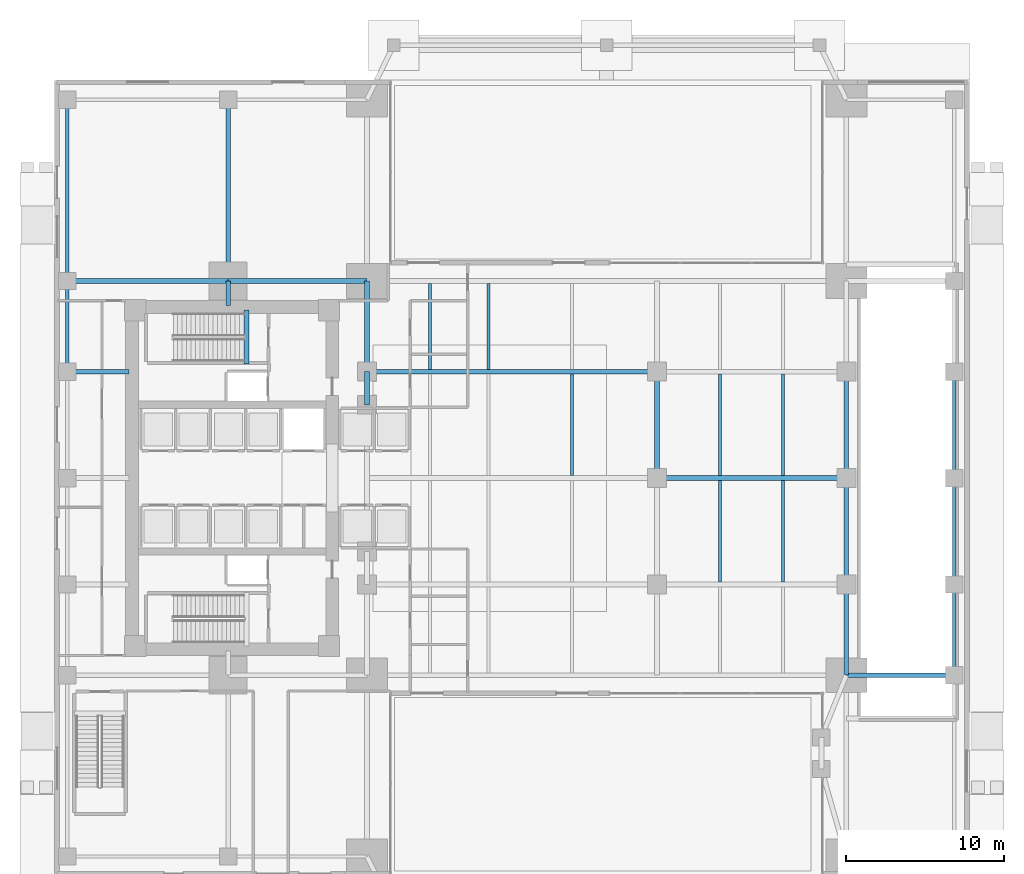
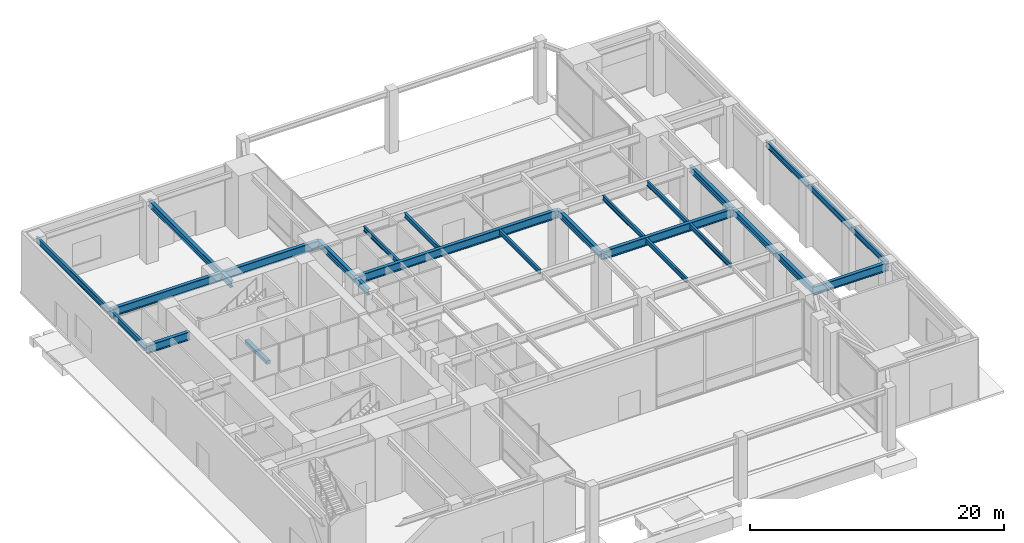
# One storey, part 5 of 17: 27 beams.
"""IFC4 building model written with IfcOpenShell, lengths in metres."""

from ifc_helpers import new_model, si_unit, direction, frame, origin, origin_2d, place, context, subcontext, project, spatial, rectangle, i_section, extrude, material, material_profile, profile_set, type_object, element, save


model = new_model("IFC4")

# Units and contexts
model_context = context("Model", 3, precision=1e-05, world=origin(), true_north=direction((0.0, 1.0)))
body_context = subcontext(model_context, "Body", "Model", "MODEL_VIEW")
ifc_project = project(units=[si_unit("LENGTHUNIT", "METRE"), si_unit("AREAUNIT", "SQUARE_METRE"), si_unit("VOLUMEUNIT", "CUBIC_METRE"), si_unit("PLANEANGLEUNIT", "RADIAN"), si_unit("MASSUNIT", "GRAM", prefix="KILO")], contexts=[model_context])

# Site, building, storey
site_placement = place(None, origin())
site = spatial("IfcSite", under=ifc_project, at=site_placement, CompositionType="ELEMENT")
building_placement = place(site_placement, origin())
building = spatial("IfcBuilding", under=site, at=building_placement, Name="Kinhvarn Gate Tower", CompositionType="ELEMENT")
storey_placement = place(building_placement, origin())
storey = spatial("IfcBuildingStorey", under=building, at=storey_placement, Name="L00", CompositionType="ELEMENT", Elevation=0.0)

# Beams
ifc_material_1 = material(Name="Concrete C50/60", Category="concrete")
ifc_material_profile_1 = material_profile(ifc_material_1, rectangle(XDim=0.340087890625, YDim=0.320068359375, at=origin_2d()), Name="RC 340x320")
ifc_profile_set_1 = profile_set([ifc_material_profile_1], Name="Concrete C50/60")
beam_type_1 = type_object("IfcBeamType", Name="BM-LND-500", PredefinedType="BEAM", material=ifc_profile_set_1)
beam_1_placement = place(storey_placement, frame((12.1650390625, 32.5, -0.159912109375), z_axis=(0.0, 1.0, 0.0), x_axis=(-1.0, 0.0, 0.0)))
element("IfcBeam", 1, at=beam_1_placement, inside=storey, type_object=beam_type_1, Name="Stair ST2 Landing Nosing Beam (L00)", PredefinedType="BEAM", context=body_context, shape_type="SweptSolid", body=[
    extrude(rectangle(XDim=0.340087890625, YDim=0.320068359375, at=origin_2d()), origin(), (0.0, 0.0, 1.0), 3.39990234375),
])
ifc_material_2 = material(Name="Steel S355", Category="steel")
ifc_material_profile_2 = material_profile(ifc_material_2, i_section(OverallWidth=0.300048828125, OverallDepth=0.60009765625, WebThickness=0.015380859375, FlangeThickness=0.030029296875, at=origin_2d()), Name="HEB 600")
ifc_profile_set_2 = profile_set([ifc_material_profile_2], Name="Steel S355")
beam_type_2 = type_object("IfcBeamType", Name="STL-HEB600", PredefinedType="BEAM", material=ifc_profile_set_2)
beam_2_placement = place(storey_placement, frame((11.0, 36.199951171875, 5.5), z_axis=(0.0, 1.0, 0.0), x_axis=(-1.0, 0.0, 0.0)))
element("IfcBeam", 2, at=beam_2_placement, inside=storey, type_object=beam_type_2, Name="Floor Beam PG-16 (L00 NS11-CN)", PredefinedType="BEAM", context=body_context, shape_type="SweptSolid", body=[
    extrude(i_section(OverallWidth=0.300048828125, OverallDepth=0.60009765625, WebThickness=0.015380859375, FlangeThickness=0.030029296875, at=origin_2d()), origin(), (0.0, 0.0, 1.0), 1.550048828125),
])
beam_3_placement = place(storey_placement, frame((11.0, 37.75, 5.5), z_axis=(0.0, 1.0, 0.0), x_axis=(-1.0, 0.0, 0.0)))
element("IfcBeam", 3, at=beam_3_placement, inside=storey, type_object=beam_type_2, Name="Floor Beam PG-16 (L00 NS11-N)", PredefinedType="BEAM", context=body_context, shape_type="SweptSolid", body=[
    extrude(i_section(OverallWidth=0.300048828125, OverallDepth=0.60009765625, WebThickness=0.015380859375, FlangeThickness=0.030029296875, at=origin_2d()), origin(), (0.0, 0.0, 1.0), 11.5),
])
beam_4_placement = place(storey_placement, frame((19.800048828125, 29.89990234375, 5.5), z_axis=(0.0, 1.0, 0.0), x_axis=(-1.0, 0.0, 0.0)))
element("IfcBeam", 4, at=beam_4_placement, inside=storey, type_object=beam_type_2, Name="Floor Beam PG-16 (L00 APW-5)", PredefinedType="BEAM", context=body_context, shape_type="SweptSolid", body=[
    extrude(i_section(OverallWidth=0.300048828125, OverallDepth=0.60009765625, WebThickness=0.015380859375, FlangeThickness=0.030029296875, at=origin_2d()), origin(), (0.0, 0.0, 1.0), 2.10009765625),
])
for number, where, z_axis, x_axis, name in (
    (5, (19.800048828125, 32.0, 5.5), (0.0, 1.0, 0.0), (-1.0, 0.0, 0.0), "Floor Beam PG-16 (L00 APW-6)"),
    (6, (50.199951171875, 12.75, 5.5), (0.0, 1.0, 0.0), (-1.0, 0.0, 0.0), "Floor Beam PG-16 (L00 APE-2)"),
):
    element("IfcBeam", number, at=place(storey_placement, frame(where, z_axis=z_axis, x_axis=x_axis)), inside=storey, type_object=beam_type_2, Name=name, PredefinedType="BEAM", context=body_context, shape_type="SweptSolid", body=[
        extrude(i_section(OverallWidth=0.300048828125, OverallDepth=0.60009765625, WebThickness=0.015380859375, FlangeThickness=0.030029296875, at=origin_2d()), origin(), (0.0, 0.0, 1.0), 5.75),
    ])
for number, where, z_axis, x_axis, name in (
    (7, (50.199951171875, 18.5, 5.5), (0.0, 1.0, 0.0), (-1.0, 0.0, 0.0), "Floor Beam PG-16 (L00 APE-3)"),
    (8, (50.199951171875, 25.25, 5.5), (0.0, 1.0, 0.0), (-1.0, 0.0, 0.0), "Floor Beam PG-16 (L00 APE-4)"),
    (9, (38.199951171875, 25.25, 5.5), (0.0, 1.0, 0.0), (-1.0, 0.0, 0.0), "Floor Beam PG-16 (L00 POD-NS38-25)"),
):
    element("IfcBeam", number, at=place(storey_placement, frame(where, z_axis=z_axis, x_axis=x_axis)), inside=storey, type_object=beam_type_2, Name=name, PredefinedType="BEAM", context=body_context, shape_type="SweptSolid", body=[
        extrude(i_section(OverallWidth=0.300048828125, OverallDepth=0.60009765625, WebThickness=0.015380859375, FlangeThickness=0.030029296875, at=origin_2d()), origin(), (0.0, 0.0, 1.0), 6.75),
    ])
ifc_material_profile_3 = material_profile(ifc_material_2, i_section(OverallWidth=0.300048828125, OverallDepth=0.800048828125, WebThickness=0.017578125, FlangeThickness=0.032958984375, at=origin_2d()), Name="HEB 800")
ifc_profile_set_3 = profile_set([ifc_material_profile_3], Name="Steel S355")
beam_type_3 = type_object("IfcBeamType", Name="STL-HEB800", PredefinedType="BEAM", material=ifc_profile_set_3)
beam_5_placement = place(storey_placement, frame((50.199951171875, 12.75, 5.39990234375), z_axis=(1.0, 0.0, 0.0), x_axis=(0.0, 1.0, 0.0)))
element("IfcBeam", 10, at=beam_5_placement, inside=storey, type_object=beam_type_3, Name="Floor Beam PG-19 (L00 SPS-E)", PredefinedType="BEAM", context=body_context, shape_type="SweptSolid", body=[
    extrude(i_section(OverallWidth=0.300048828125, OverallDepth=0.800048828125, WebThickness=0.017578125, FlangeThickness=0.032958984375, at=origin_2d()), origin(), (0.0, 0.0, 1.0), 6.85009765625),
])
beam_6_placement = place(storey_placement, frame((0.800048828125, 37.75, 5.39990234375), z_axis=(1.0, 0.0, 0.0), x_axis=(0.0, 1.0, 0.0)))
element("IfcBeam", 11, at=beam_6_placement, inside=storey, type_object=beam_type_3, Name="Floor Beam PG-19 (L00 SPN-1)", PredefinedType="BEAM", context=body_context, shape_type="SweptSolid", body=[
    extrude(i_section(OverallWidth=0.300048828125, OverallDepth=0.800048828125, WebThickness=0.017578125, FlangeThickness=0.032958984375, at=origin_2d()), origin(), (0.0, 0.0, 1.0), 10.199951171875),
])
beam_7_placement = place(storey_placement, frame((11.0, 37.75, 5.39990234375), z_axis=(1.0, 0.0, 0.0), x_axis=(0.0, 1.0, 0.0)))
element("IfcBeam", 12, at=beam_7_placement, inside=storey, type_object=beam_type_3, Name="Floor Beam PG-19 (L00 SPN-2)", PredefinedType="BEAM", context=body_context, shape_type="SweptSolid", body=[
    extrude(i_section(OverallWidth=0.300048828125, OverallDepth=0.800048828125, WebThickness=0.017578125, FlangeThickness=0.032958984375, at=origin_2d()), origin(), (0.0, 0.0, 1.0), 8.800048828125),
])
beam_8_placement = place(storey_placement, frame((0.800048828125, 32.0, 5.39990234375), z_axis=(1.0, 0.0, 0.0), x_axis=(0.0, 1.0, 0.0)))
element("IfcBeam", 13, at=beam_8_placement, inside=storey, type_object=beam_type_3, Name="Floor Beam PG-19 (L00 W-MID-32)", PredefinedType="BEAM", context=body_context, shape_type="SweptSolid", body=[
    extrude(i_section(OverallWidth=0.300048828125, OverallDepth=0.800048828125, WebThickness=0.017578125, FlangeThickness=0.032958984375, at=origin_2d()), origin(), (0.0, 0.0, 1.0), 3.89990234375),
])
beam_9_placement = place(storey_placement, frame((38.199951171875, 25.25, 5.39990234375), z_axis=(1.0, 0.0, 0.0), x_axis=(0.0, 1.0, 0.0)))
element("IfcBeam", 14, at=beam_9_placement, inside=storey, type_object=beam_type_3, Name="Floor Beam PG-19 (L00 POD-EW2-25)", PredefinedType="BEAM", context=body_context, shape_type="SweptSolid", body=[
    extrude(i_section(OverallWidth=0.300048828125, OverallDepth=0.800048828125, WebThickness=0.017578125, FlangeThickness=0.032958984375, at=origin_2d()), origin(), (0.0, 0.0, 1.0), 12.0),
])
beam_10_placement = place(storey_placement, frame((19.800048828125, 32.0, 5.39990234375), z_axis=(1.0, 0.0, 0.0), x_axis=(0.0, 1.0, 0.0)))
element("IfcBeam", 15, at=beam_10_placement, inside=storey, type_object=beam_type_3, Name="Floor Beam PG-19 (L00 POD-EW1-32)", PredefinedType="BEAM", context=body_context, shape_type="SweptSolid", body=[
    extrude(i_section(OverallWidth=0.300048828125, OverallDepth=0.800048828125, WebThickness=0.017578125, FlangeThickness=0.032958984375, at=origin_2d()), origin(), (0.0, 0.0, 1.0), 18.39990234375),
])
ifc_material_profile_4 = material_profile(ifc_material_2, i_section(OverallWidth=0.18994140625, OverallDepth=0.449951171875, WebThickness=0.009521484375, FlangeThickness=0.0146484375, at=origin_2d()), Name="IPE 450")
ifc_profile_set_4 = profile_set([ifc_material_profile_4], Name="Steel S355")
beam_type_4 = type_object("IfcBeamType", Name="STL-IPE450", PredefinedType="JOIST", material=ifc_profile_set_4)
for number, where, z_axis, x_axis, name in (
    (16, (42.199951171875, 18.64990234375, 5.574951171875), (0.0, 1.0, 0.0), (-1.0, 0.0, 0.0), "Floor Joist SB-06 (L00 POD-J422-18)"),
    (17, (46.199951171875, 18.64990234375, 5.574951171875), (0.0, 1.0, 0.0), (-1.0, 0.0, 0.0), "Floor Joist SB-06 (L00 POD-J462-18)"),
    (18, (32.800048828125, 25.39990234375, 5.574951171875), (0.0, 1.0, 0.0), (-1.0, 0.0, 0.0), "Floor Joist SB-06 (L00 POD-J328-25)"),
    (19, (42.199951171875, 25.39990234375, 5.574951171875), (0.0, 1.0, 0.0), (-1.0, 0.0, 0.0), "Floor Joist SB-06 (L00 POD-J422-25)"),
    (20, (46.199951171875, 25.39990234375, 5.574951171875), (0.0, 1.0, 0.0), (-1.0, 0.0, 0.0), "Floor Joist SB-06 (L00 POD-J462-25)"),
):
    element("IfcBeam", number, at=place(storey_placement, frame(where, z_axis=z_axis, x_axis=x_axis)), inside=storey, type_object=beam_type_4, Name=name, PredefinedType="JOIST", context=body_context, shape_type="SweptSolid", body=[
        extrude(i_section(OverallWidth=0.18994140625, OverallDepth=0.449951171875, WebThickness=0.009521484375, FlangeThickness=0.0146484375, at=origin_2d()), origin(), (0.0, 0.0, 1.0), 6.4501953125),
    ])
for number, where, z_axis, x_axis, name in (
    (21, (23.800048828125, 32.14990234375, 5.574951171875), (0.0, 1.0, 0.0), (-1.0, 0.0, 0.0), "Floor Joist SB-06 (L00 POD-J238-32)"),
    (22, (27.5, 32.14990234375, 5.574951171875), (0.0, 1.0, 0.0), (-1.0, 0.0, 0.0), "Floor Joist SB-06 (L00 POD-J275-32)"),
):
    element("IfcBeam", number, at=place(storey_placement, frame(where, z_axis=z_axis, x_axis=x_axis)), inside=storey, type_object=beam_type_4, Name=name, PredefinedType="JOIST", context=body_context, shape_type="SweptSolid", body=[
        extrude(i_section(OverallWidth=0.18994140625, OverallDepth=0.449951171875, WebThickness=0.009521484375, FlangeThickness=0.0146484375, at=origin_2d()), origin(), (0.0, 0.0, 1.0), 5.4501953125),
    ])
ifc_material_profile_5 = material_profile(ifc_material_2, i_section(OverallWidth=0.2099609375, OverallDepth=0.550048828125, WebThickness=0.010986328125, FlangeThickness=0.01708984375, at=origin_2d()), Name="IPE 550")
ifc_profile_set_5 = profile_set([ifc_material_profile_5], Name="Steel S355")
beam_type_5 = type_object("IfcBeamType", Name="STL-IPE550", PredefinedType="SPANDREL", material=ifc_profile_set_5)
beam_11_placement = place(storey_placement, frame((57.050048828125, 12.75, 5.52490234375), z_axis=(0.0, 1.0, 0.0), x_axis=(-1.0, 0.0, 0.0)))
element("IfcBeam", 23, at=beam_11_placement, inside=storey, type_object=beam_type_5, Name="Floor Spandrel SB-08 (L00 PERE-2)", PredefinedType="SPANDREL", context=body_context, shape_type="SweptSolid", body=[
    extrude(i_section(OverallWidth=0.2099609375, OverallDepth=0.550048828125, WebThickness=0.010986328125, FlangeThickness=0.01708984375, at=origin_2d()), origin(), (0.0, 0.0, 1.0), 5.75),
])
for number, where, z_axis, x_axis, name in (
    (24, (57.050048828125, 18.5, 5.52490234375), (0.0, 1.0, 0.0), (-1.0, 0.0, 0.0), "Floor Spandrel SB-08 (L00 PERE-3)"),
    (25, (57.050048828125, 25.25, 5.52490234375), (0.0, 1.0, 0.0), (-1.0, 0.0, 0.0), "Floor Spandrel SB-08 (L00 PERE-4)"),
):
    element("IfcBeam", number, at=place(storey_placement, frame(where, z_axis=z_axis, x_axis=x_axis)), inside=storey, type_object=beam_type_5, Name=name, PredefinedType="SPANDREL", context=body_context, shape_type="SweptSolid", body=[
        extrude(i_section(OverallWidth=0.2099609375, OverallDepth=0.550048828125, WebThickness=0.010986328125, FlangeThickness=0.01708984375, at=origin_2d()), origin(), (0.0, 0.0, 1.0), 6.75),
    ])
beam_12_placement = place(storey_placement, frame((0.800048828125, 32.0, 5.52490234375), z_axis=(0.0, 1.0, 0.0), x_axis=(-1.0, 0.0, 0.0)))
element("IfcBeam", 26, at=beam_12_placement, inside=storey, type_object=beam_type_5, Name="Floor Spandrel SB-08 (L00 PERW-5)", PredefinedType="SPANDREL", context=body_context, shape_type="SweptSolid", body=[
    extrude(i_section(OverallWidth=0.2099609375, OverallDepth=0.550048828125, WebThickness=0.010986328125, FlangeThickness=0.01708984375, at=origin_2d()), origin(), (0.0, 0.0, 1.0), 5.75),
])
beam_13_placement = place(storey_placement, frame((0.800048828125, 37.75, 5.52490234375), z_axis=(0.0, 1.0, 0.0), x_axis=(-1.0, 0.0, 0.0)))
element("IfcBeam", 27, at=beam_13_placement, inside=storey, type_object=beam_type_5, Name="Floor Spandrel SB-08 (L00 PERW-6)", PredefinedType="SPANDREL", context=body_context, shape_type="SweptSolid", body=[
    extrude(i_section(OverallWidth=0.2099609375, OverallDepth=0.550048828125, WebThickness=0.010986328125, FlangeThickness=0.01708984375, at=origin_2d()), origin(), (0.0, 0.0, 1.0), 11.5),
])

save(model, "model.ifc")
